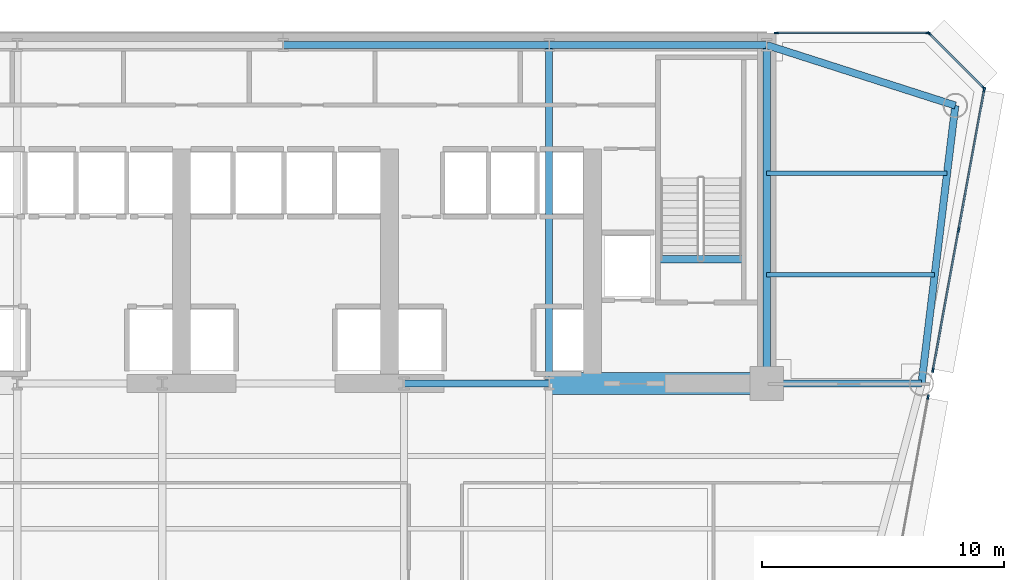
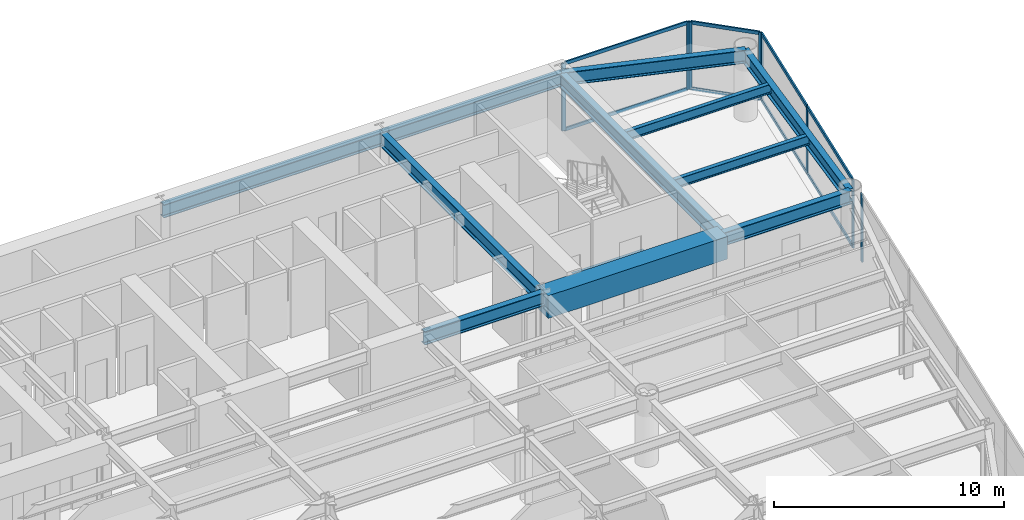
# One storey, part 7 of 15: 16 members, 12 beams, 4 elements without a shape of their own.
"""IFC4 building model written with IfcOpenShell, lengths in metres."""

from ifc_helpers import new_model, si_unit, direction, frame, origin, origin_2d, place, context, subcontext, project, spatial, rectangle, i_section, extrude, source, transform, mapped, material, layer, layer_set, material_profile, profile_set, type_object, element, aggregate, save


model = new_model("IFC4")

# Units and contexts
model_context = context("Model", 3, precision=1e-05, world=origin(), true_north=direction((0.0, 1.0)))
body_context = subcontext(model_context, "Body", "Model", "MODEL_VIEW")
ifc_project = project(units=[si_unit("LENGTHUNIT", "METRE"), si_unit("AREAUNIT", "SQUARE_METRE"), si_unit("VOLUMEUNIT", "CUBIC_METRE"), si_unit("PLANEANGLEUNIT", "RADIAN"), si_unit("MASSUNIT", "GRAM", prefix="KILO")], contexts=[model_context])

# Site, building, storey
site_placement = place(None, origin())
site = spatial("IfcSite", under=ifc_project, at=site_placement, CompositionType="ELEMENT")
building_placement = place(site_placement, origin())
building = spatial("IfcBuilding", under=site, at=building_placement, Name="Vaeldorn Concourse Tower", CompositionType="ELEMENT")
storey_placement = place(building_placement, frame((0.0, 0.0, 95.800048828125)))
storey = spatial("IfcBuildingStorey", under=building, at=storey_placement, Name="L24", CompositionType="ELEMENT", Elevation=95.800048828125)

# Beams
ifc_material_1 = material(Name="Concrete C60/75", Category="concrete")
ifc_material_profile_1 = material_profile(ifc_material_1, rectangle(XDim=0.89990234375, YDim=1.199951171875, at=origin_2d()), Name="RC 900x1200")
ifc_profile_set_1 = profile_set([ifc_material_profile_1], Name="Concrete C60/75")
beam_type_1 = type_object("IfcBeamType", Name="BM-CB-RC900", PredefinedType="BEAM", material=ifc_profile_set_1)
shared_shape_1 = source(origin(), body_context, "Body", "SweptSolid", [
    extrude(rectangle(XDim=0.89990234375, YDim=1.199951171875, at=origin_2d()), origin(), (0.0, 0.0, 1.0), 9.0),
])
beam_1_placement = place(storey_placement, frame((45.0, 36.5, 2.97998046875), z_axis=(1.0, 0.0, 0.0), x_axis=(0.0, 1.0, 0.0)))
element("IfcBeam", 1, at=beam_1_placement, inside=storey, type_object=beam_type_1, Name="Core Coupling Beam L24-2", PredefinedType="BEAM", context=body_context, shape_type="MappedRepresentation", body=[
    mapped(shared_shape_1, transform((0.0, 0.0, 0.0), scale=1.0)),
])
ifc_material_2 = material(Name="Steel S355", Category="steel")
ifc_material_profile_2 = material_profile(ifc_material_2, i_section(OverallWidth=0.300048828125, OverallDepth=0.340087890625, WebThickness=0.011962890625, FlangeThickness=0.021484375, FilletRadius=0.027099609375, at=origin_2d()), Name="HEB 340")
ifc_profile_set_2 = profile_set([ifc_material_profile_2], Name="Steel S355")
beam_type_2 = type_object("IfcBeamType", Name="BM-ST-TRIM", PredefinedType="BEAM", material=ifc_profile_set_2)
shared_shape_2 = source(origin(), body_context, "Body", "SweptSolid", [
    extrude(i_section(OverallWidth=0.300048828125, OverallDepth=0.340087890625, WebThickness=0.011962890625, FlangeThickness=0.021484375, FilletRadius=0.027099609375, at=origin_2d()), origin(), (0.0, 0.0, 1.0), 3.590087890625),
])
beam_2_placement = place(storey_placement, frame((49.47998046875, 41.639892578125, -0.39013671875), z_axis=(1.0, 0.0, 0.0), x_axis=(0.0, 1.0, 0.0)))
element("IfcBeam", 2, at=beam_2_placement, inside=storey, type_object=beam_type_2, Name="Stair Landing Trimmer Beam ST-2 L24", PredefinedType="BEAM", context=body_context, shape_type="MappedRepresentation", body=[
    mapped(shared_shape_2, transform((0.0, 0.0, 0.0), scale=1.0)),
])
ifc_material_profile_3 = material_profile(ifc_material_2, i_section(OverallWidth=0.199951171875, OverallDepth=0.5, WebThickness=0.01025390625, FlangeThickness=0.01611328125, FilletRadius=0.02099609375, at=origin_2d()), Name="IPE 500")
ifc_profile_set_3 = profile_set([ifc_material_profile_3], Name="Steel S355")
beam_type_3 = type_object("IfcBeamType", Name="BM-JS-IPE500", PredefinedType="JOIST", material=ifc_profile_set_3)
shared_shape_3 = source(origin(), body_context, "Body", "SweptSolid", [
    extrude(i_section(OverallWidth=0.199951171875, OverallDepth=0.5, WebThickness=0.01025390625, FlangeThickness=0.01611328125, FilletRadius=0.02099609375, at=origin_2d()), origin(), (0.0, 0.0, 1.0), 6.94775390625),
])
beam_3_placement = place(storey_placement, frame((54.0, 41.0, 3.329833984375), z_axis=(1.0, 0.0, 0.0), x_axis=(0.0, 1.0, 0.0)))
element("IfcBeam", 3, at=beam_3_placement, inside=storey, type_object=beam_type_3, Name="Beam JS-L24-NE-410", PredefinedType="JOIST", context=body_context, shape_type="MappedRepresentation", body=[
    mapped(shared_shape_3, transform((0.0, 0.0, 0.0), scale=1.0)),
])
shared_shape_4 = source(origin(), body_context, "Body", "SweptSolid", [
    extrude(i_section(OverallWidth=0.199951171875, OverallDepth=0.5, WebThickness=0.01025390625, FlangeThickness=0.01611328125, FilletRadius=0.02099609375, at=origin_2d()), origin(), (0.0, 0.0, 1.0), 7.458984375),
])
beam_4_placement = place(storey_placement, frame((54.0, 45.199951171875, 3.329833984375), z_axis=(1.0, 0.0, 0.0), x_axis=(0.0, 1.0, 0.0)))
element("IfcBeam", 4, at=beam_4_placement, inside=storey, type_object=beam_type_3, Name="Beam JS-L24-NE-452", PredefinedType="JOIST", context=body_context, shape_type="MappedRepresentation", body=[
    mapped(shared_shape_4, transform((0.0, 0.0, 0.0), scale=1.0)),
])
ifc_material_profile_4 = material_profile(ifc_material_2, i_section(OverallWidth=0.300048828125, OverallDepth=0.699951171875, WebThickness=0.01708984375, FlangeThickness=0.031982421875, FilletRadius=0.027099609375, at=origin_2d()), Name="HEB 700")
ifc_profile_set_4 = profile_set([ifc_material_profile_4], Name="Steel S355")
beam_type_4 = type_object("IfcBeamType", Name="BM-PG-HEB700", PredefinedType="BEAM", material=ifc_profile_set_4)
shared_shape_5 = source(origin(), body_context, "Body", "SweptSolid", [
    extrude(i_section(OverallWidth=0.300048828125, OverallDepth=0.699951171875, WebThickness=0.01708984375, FlangeThickness=0.031982421875, FilletRadius=0.027099609375, at=origin_2d()), origin(), (0.0, 0.0, 1.0), 6.0),
])
beam_5_placement = place(storey_placement, frame((39.0, 36.5, 3.22998046875), z_axis=(1.0, 0.0, 0.0), x_axis=(0.0, 1.0, 0.0)))
element("IfcBeam", 5, at=beam_5_placement, inside=storey, type_object=beam_type_4, Name="Beam BM-L24-C-FC4-C-FC5", PredefinedType="BEAM", context=body_context, shape_type="MappedRepresentation", body=[
    mapped(shared_shape_5, transform((0.0, 0.0, 0.0), scale=1.0)),
])
shared_shape_6 = source(origin(), body_context, "Body", "SweptSolid", [
    extrude(i_section(OverallWidth=0.300048828125, OverallDepth=0.699951171875, WebThickness=0.01708984375, FlangeThickness=0.031982421875, FilletRadius=0.027099609375, at=origin_2d()), origin(), (0.0, 0.0, 1.0), 9.0),
])
beam_6_placement = place(storey_placement, frame((45.0, 50.5, 3.22998046875), z_axis=(1.0, 0.0, 0.0), x_axis=(0.0, 1.0, 0.0)))
element("IfcBeam", 6, at=beam_6_placement, inside=storey, type_object=beam_type_4, Name="Beam BM-L24-C-HC4-C-HC5", PredefinedType="BEAM", context=body_context, shape_type="MappedRepresentation", body=[
    mapped(shared_shape_6, transform((0.0, 0.0, 0.0), scale=1.0)),
])
shared_shape_7 = source(origin(), body_context, "Body", "SweptSolid", [
    extrude(i_section(OverallWidth=0.300048828125, OverallDepth=0.699951171875, WebThickness=0.01708984375, FlangeThickness=0.031982421875, FilletRadius=0.027099609375, at=origin_2d()), origin(), (0.0, 0.0, 1.0), 11.0),
])
beam_7_placement = place(storey_placement, frame((34.0, 50.5, 3.22998046875), z_axis=(1.0, 0.0, 0.0), x_axis=(0.0, 1.0, 0.0)))
element("IfcBeam", 7, at=beam_7_placement, inside=storey, type_object=beam_type_4, Name="Beam BM-L24-C-HC3-C-HC4", PredefinedType="BEAM", context=body_context, shape_type="MappedRepresentation", body=[
    mapped(shared_shape_7, transform((0.0, 0.0, 0.0), scale=1.0)),
])
shared_shape_8 = source(origin(), body_context, "Body", "SweptSolid", [
    extrude(i_section(OverallWidth=0.300048828125, OverallDepth=0.699951171875, WebThickness=0.01708984375, FlangeThickness=0.031982421875, FilletRadius=0.027099609375, at=origin_2d()), origin(), (0.0, 0.0, 1.0), 14.0),
])
for number, where, z_axis, x_axis, name in (
    (8, (45.0, 36.5, 3.22998046875), (0.0, 1.0, 0.0), (-1.0, 0.0, 0.0), "Beam BM-L24-C-FC5-C-HC4"),
    (9, (54.0, 36.5, 3.22998046875), (0.0, 1.0, 0.0), (-1.0, 0.0, 0.0), "Beam BM-L24-C-FC6-C-HC5"),
):
    element("IfcBeam", number, at=place(storey_placement, frame(where, z_axis=z_axis, x_axis=x_axis)), inside=storey, type_object=beam_type_4, Name=name, PredefinedType="BEAM", context=body_context, shape_type="MappedRepresentation", body=[
        mapped(shared_shape_8, transform((0.0, 0.0, 0.0), scale=1.0)),
    ])
shared_shape_9 = source(origin(), body_context, "Body", "SweptSolid", [
    extrude(i_section(OverallWidth=0.300048828125, OverallDepth=0.699951171875, WebThickness=0.01708984375, FlangeThickness=0.031982421875, FilletRadius=0.027099609375, at=origin_2d()), origin(), (0.0, 0.0, 1.0), 8.19091796875),
])
beam_8_placement = place(storey_placement, frame((54.0, 50.5, 3.22998046875), z_axis=(0.952282843383, -0.305216949396, 0.0), x_axis=(0.305216949396, 0.952282843383, 0.0)))
element("IfcBeam", 10, at=beam_8_placement, inside=storey, type_object=beam_type_4, Name="Beam BM-L24-C-HC5-C-NE1", PredefinedType="BEAM", context=body_context, shape_type="MappedRepresentation", body=[
    mapped(shared_shape_9, transform((0.0, 0.0, 0.0), scale=1.0)),
])
shared_shape_10 = source(origin(), body_context, "Body", "SweptSolid", [
    extrude(i_section(OverallWidth=0.300048828125, OverallDepth=0.699951171875, WebThickness=0.01708984375, FlangeThickness=0.031982421875, FilletRadius=0.027099609375, at=origin_2d()), origin(), (0.0, 0.0, 1.0), 11.5849609375),
])
beam_9_placement = place(storey_placement, frame((61.800048828125, 48.0, 3.22998046875), z_axis=(-0.120859382899, -0.992669637677, 0.0), x_axis=(0.992669637677, -0.120859382899, 0.0)))
element("IfcBeam", 11, at=beam_9_placement, inside=storey, type_object=beam_type_4, Name="Beam BM-L24-C-NE1-C-NE2", PredefinedType="BEAM", context=body_context, shape_type="MappedRepresentation", body=[
    mapped(shared_shape_10, transform((0.0, 0.0, 0.0), scale=1.0)),
])
shared_shape_11 = source(origin(), body_context, "Body", "SweptSolid", [
    extrude(i_section(OverallWidth=0.300048828125, OverallDepth=0.699951171875, WebThickness=0.01708984375, FlangeThickness=0.031982421875, FilletRadius=0.027099609375, at=origin_2d()), origin(), (0.0, 0.0, 1.0), 6.39990234375),
])
beam_10_placement = place(storey_placement, frame((54.0, 36.5, 3.22998046875), z_axis=(1.0, 0.0, 0.0), x_axis=(0.0, 1.0, 0.0)))
element("IfcBeam", 12, at=beam_10_placement, inside=storey, type_object=beam_type_4, Name="Beam BM-L24-C-FC6-C-NE2", PredefinedType="BEAM", context=body_context, shape_type="MappedRepresentation", body=[
    mapped(shared_shape_11, transform((0.0, 0.0, 0.0), scale=1.0)),
])

# Curtain wall, members
ifc_material_3 = material(Name="Anodised Bronze Aluminium", Category="aluminium")
ifc_layer = layer(ifc_material_3, 0.199951171875)
ifc_layer_set = layer_set([ifc_layer], Name="Anodised Bronze Aluminium")
curtain_wall_type = type_object("IfcCurtainWallType", Name="CW-SYS-02", PredefinedType="NOTDEFINED", material=ifc_layer_set)
curtain_wall_1_placement = place(storey_placement, origin())
curtain_wall_1 = element("IfcCurtainWall", 13, at=curtain_wall_1_placement, inside=storey, type_object=curtain_wall_type, Name="Unitised Curtain Wall CW-L24-E08-1", PredefinedType="NOTDEFINED")
ifc_material_profile_5 = material_profile(ifc_material_3, rectangle(XDim=0.074951171875, YDim=0.179931640625, at=origin_2d()), Name="CWT 75x180")
ifc_profile_set_5 = profile_set([ifc_material_profile_5], Name="Anodised Bronze Aluminium")
member_type_1 = type_object("IfcMemberType", Name="CWT-BRONZE-180", PredefinedType="USERDEFINED", material=ifc_profile_set_5)
shared_shape_12 = source(origin(), body_context, "Body", "SweptSolid", [
    extrude(rectangle(XDim=0.074951171875, YDim=0.179931640625, at=origin_2d()), origin(), (0.0, 0.0, 1.0), 3.10302734375),
])
member_1_placement = place(storey_placement, frame((62.947021484375, 48.7529296875, 0.037353515625), z_axis=(-0.707106781187, 0.707106781187, 0.0), x_axis=(-0.707106781187, -0.707106781187, 0.0)))
member_1 = element("IfcMember", 14, at=member_1_placement, type_object=member_type_1, Name="CW-02 transom 1.1", ObjectType="TRANSOM", PredefinedType="USERDEFINED", context=body_context, shape_type="MappedRepresentation", body=[
    mapped(shared_shape_12, transform((0.0, 0.0, 0.0), scale=1.0)),
])
member_2_placement = place(storey_placement, frame((62.947021484375, 48.7529296875, 3.54248046875), z_axis=(-0.707106781187, 0.707106781187, 0.0), x_axis=(-0.707106781187, -0.707106781187, 0.0)))
member_2 = element("IfcMember", 15, at=member_2_placement, type_object=member_type_1, Name="CW-02 transom 1.2", ObjectType="TRANSOM", PredefinedType="USERDEFINED", context=body_context, shape_type="MappedRepresentation", body=[
    mapped(shared_shape_12, transform((0.0, 0.0, 0.0), scale=1.0)),
])

curtain_wall_2_placement = place(storey_placement, origin())
curtain_wall_2 = element("IfcCurtainWall", 16, at=curtain_wall_2_placement, inside=storey, type_object=curtain_wall_type, Name="Unitised Curtain Wall CW-L24-E09-1", PredefinedType="NOTDEFINED")
shared_shape_13 = source(origin(), body_context, "Body", "SweptSolid", [
    extrude(rectangle(XDim=0.074951171875, YDim=0.179931640625, at=origin_2d()), origin(), (0.0, 0.0, 1.0), 6.179931640625),
])
member_3_placement = place(storey_placement, frame((60.625, 51.0, 0.037353515625), z_axis=(-1.0, 0.0, 0.0), x_axis=(0.0, -1.0, 0.0)))
member_3 = element("IfcMember", 17, at=member_3_placement, type_object=member_type_1, Name="CW-02 transom 1.1", ObjectType="TRANSOM", PredefinedType="USERDEFINED", context=body_context, shape_type="MappedRepresentation", body=[
    mapped(shared_shape_13, transform((0.0, 0.0, 0.0), scale=1.0)),
])
member_4_placement = place(storey_placement, frame((60.625, 51.0, 3.54248046875), z_axis=(-1.0, 0.0, 0.0), x_axis=(0.0, -1.0, 0.0)))
member_4 = element("IfcMember", 18, at=member_4_placement, type_object=member_type_1, Name="CW-02 transom 1.2", ObjectType="TRANSOM", PredefinedType="USERDEFINED", context=body_context, shape_type="MappedRepresentation", body=[
    mapped(shared_shape_13, transform((0.0, 0.0, 0.0), scale=1.0)),
])

curtain_wall_3_placement = place(storey_placement, origin())
curtain_wall_3 = element("IfcCurtainWall", 19, at=curtain_wall_3_placement, inside=storey, type_object=curtain_wall_type, Name="Unitised Curtain Wall CW-L24-E07-2", PredefinedType="NOTDEFINED")
shared_shape_14 = source(origin(), body_context, "Body", "SweptSolid", [
    extrude(rectangle(XDim=0.074951171875, YDim=0.179931640625, at=origin_2d()), origin(), (0.0, 0.0, 1.0), 5.824951171875),
])
member_5_placement = place(storey_placement, frame((60.881103515625, 37.091796875, 0.037353515625), z_axis=(0.179556680361, 0.983747629495, 0.0), x_axis=(-0.983747629495, 0.179556680361, 0.0)))
member_5 = element("IfcMember", 20, at=member_5_placement, type_object=member_type_1, Name="CW-02 transom 1.1", ObjectType="TRANSOM", PredefinedType="USERDEFINED", context=body_context, shape_type="MappedRepresentation", body=[
    mapped(shared_shape_14, transform((0.0, 0.0, 0.0), scale=1.0)),
])
member_6_placement = place(storey_placement, frame((60.881103515625, 37.091796875, 3.54248046875), z_axis=(0.179556680361, 0.983747629495, 0.0), x_axis=(-0.983747629495, 0.179556680361, 0.0)))
member_6 = element("IfcMember", 21, at=member_6_placement, type_object=member_type_1, Name="CW-02 transom 1.2", ObjectType="TRANSOM", PredefinedType="USERDEFINED", context=body_context, shape_type="MappedRepresentation", body=[
    mapped(shared_shape_14, transform((0.0, 0.0, 0.0), scale=1.0)),
])
member_7_placement = place(storey_placement, frame((61.940673828125, 42.89599609375, 0.037353515625), z_axis=(0.179556680361, 0.983747629495, 0.0), x_axis=(-0.983747629495, 0.179556680361, 0.0)))
member_7 = element("IfcMember", 22, at=member_7_placement, type_object=member_type_1, Name="CW-02 transom 2.1", ObjectType="TRANSOM", PredefinedType="USERDEFINED", context=body_context, shape_type="MappedRepresentation", body=[
    mapped(shared_shape_14, transform((0.0, 0.0, 0.0), scale=1.0)),
])
member_8_placement = place(storey_placement, frame((61.940673828125, 42.89599609375, 3.54248046875), z_axis=(0.179556680361, 0.983747629495, 0.0), x_axis=(-0.983747629495, 0.179556680361, 0.0)))
member_8 = element("IfcMember", 23, at=member_8_placement, type_object=member_type_1, Name="CW-02 transom 2.2", ObjectType="TRANSOM", PredefinedType="USERDEFINED", context=body_context, shape_type="MappedRepresentation", body=[
    mapped(shared_shape_14, transform((0.0, 0.0, 0.0), scale=1.0)),
])

# Curtain wall, member
curtain_wall_4_placement = place(storey_placement, origin())
curtain_wall_4 = element("IfcCurtainWall", 24, at=curtain_wall_4_placement, inside=storey, type_object=curtain_wall_type, Name="Unitised Curtain Wall CW-L24-E07-1", PredefinedType="NOTDEFINED")
ifc_material_profile_6 = material_profile(ifc_material_3, rectangle(XDim=0.074951171875, YDim=0.18994140625, at=origin_2d()), Name="CWM 75x190")
ifc_profile_set_6 = profile_set([ifc_material_profile_6], Name="Anodised Bronze Aluminium")
member_type_2 = type_object("IfcMemberType", Name="CWM-BRONZE-190", PredefinedType="MULLION", material=ifc_profile_set_6)
shared_shape_15 = source(origin(), body_context, "Body", "SweptSolid", [
    extrude(rectangle(XDim=0.074951171875, YDim=0.18994140625, at=origin_2d()), origin(), (0.0, 0.0, 1.0), 3.579833984375),
])
member_9_placement = place(storey_placement, frame((60.671875, 35.945068359375, 0.0), z_axis=(0.0, 0.0, 1.0), x_axis=(-0.983745706576, 0.179567215253, 0.0)))
member_9 = element("IfcMember", 25, at=member_9_placement, type_object=member_type_2, Name="CW-02 mullion 6", PredefinedType="MULLION", context=body_context, shape_type="MappedRepresentation", body=[
    mapped(shared_shape_15, transform((0.0, 0.0, 0.0), scale=1.0)),
])
aggregate(curtain_wall_4, [member_9])

# Member
member_10_placement = place(storey_placement, frame((60.87451171875, 37.054931640625, 0.0), z_axis=(0.0, 0.0, 1.0), x_axis=(-0.98374666282, 0.179561976462, 0.0)))
member_10 = element("IfcMember", 26, at=member_10_placement, type_object=member_type_2, Name="CW-02 mullion 1", PredefinedType="MULLION", context=body_context, shape_type="MappedRepresentation", body=[
    mapped(shared_shape_15, transform((0.0, 0.0, 0.0), scale=1.0)),
])

member_11_placement = place(storey_placement, frame((61.933837890625, 42.85888671875, 0.0), z_axis=(0.0, 0.0, 1.0), x_axis=(-0.98374666282, 0.179561976462, 0.0)))
member_11 = element("IfcMember", 27, at=member_11_placement, type_object=member_type_2, Name="CW-02 mullion 2", PredefinedType="MULLION", context=body_context, shape_type="MappedRepresentation", body=[
    mapped(shared_shape_15, transform((0.0, 0.0, 0.0), scale=1.0)),
])

member_12_placement = place(storey_placement, frame((62.9931640625, 48.6630859375, 0.0), z_axis=(0.0, 0.0, 1.0), x_axis=(-0.98374666282, 0.179561976462, 0.0)))
member_12 = element("IfcMember", 28, at=member_12_placement, type_object=member_type_2, Name="CW-02 mullion 3", PredefinedType="MULLION", context=body_context, shape_type="MappedRepresentation", body=[
    mapped(shared_shape_15, transform((0.0, 0.0, 0.0), scale=1.0)),
])

aggregate(curtain_wall_3, [member_10, member_11, member_12, member_5, member_6, member_7, member_8])

member_13_placement = place(storey_placement, frame((62.973388671875, 48.7265625, 0.0), z_axis=(0.0, 0.0, 1.0), x_axis=(-0.707106781187, -0.707106781187, 0.0)))
member_13 = element("IfcMember", 29, at=member_13_placement, type_object=member_type_2, Name="CW-02 mullion 1", PredefinedType="MULLION", context=body_context, shape_type="MappedRepresentation", body=[
    mapped(shared_shape_15, transform((0.0, 0.0, 0.0), scale=1.0)),
])

member_14_placement = place(storey_placement, frame((60.7265625, 50.973388671875, 0.0), z_axis=(0.0, 0.0, 1.0), x_axis=(-0.707106781187, -0.707106781187, 0.0)))
member_14 = element("IfcMember", 30, at=member_14_placement, type_object=member_type_2, Name="CW-02 mullion 2", PredefinedType="MULLION", context=body_context, shape_type="MappedRepresentation", body=[
    mapped(shared_shape_15, transform((0.0, 0.0, 0.0), scale=1.0)),
])

aggregate(curtain_wall_1, [member_13, member_14, member_1, member_2])

member_15_placement = place(storey_placement, frame((60.66259765625, 51.0, 0.0), z_axis=(0.0, 0.0, 1.0), x_axis=(0.0, -1.0, 0.0)))
member_15 = element("IfcMember", 31, at=member_15_placement, type_object=member_type_2, Name="CW-02 mullion 1", PredefinedType="MULLION", context=body_context, shape_type="MappedRepresentation", body=[
    mapped(shared_shape_15, transform((0.0, 0.0, 0.0), scale=1.0)),
])

member_16_placement = place(storey_placement, frame((54.407470703125, 51.0, 0.0), z_axis=(0.0, 0.0, 1.0), x_axis=(0.0, -1.0, 0.0)))
member_16 = element("IfcMember", 32, at=member_16_placement, type_object=member_type_2, Name="CW-02 mullion 2", PredefinedType="MULLION", context=body_context, shape_type="MappedRepresentation", body=[
    mapped(shared_shape_15, transform((0.0, 0.0, 0.0), scale=1.0)),
])

aggregate(curtain_wall_2, [member_15, member_16, member_3, member_4])

save(model, "model.ifc")
